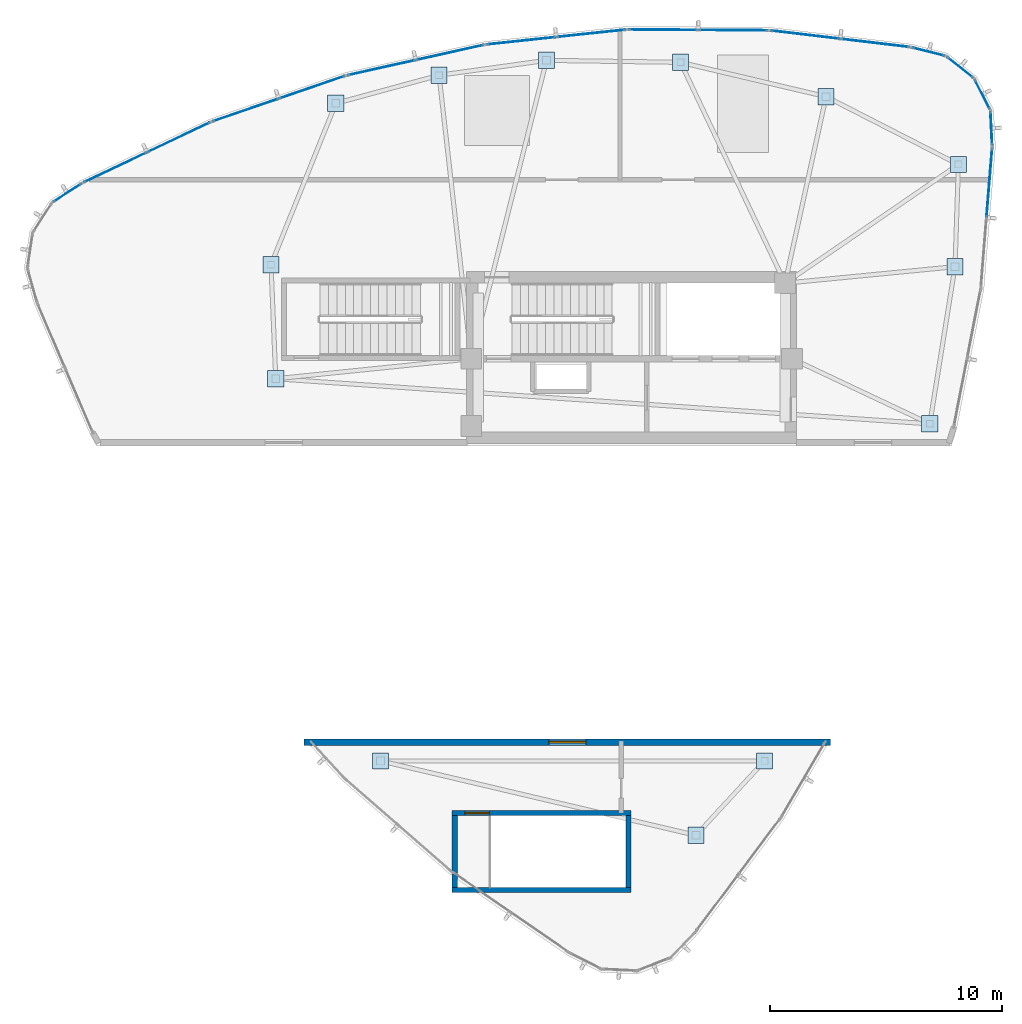
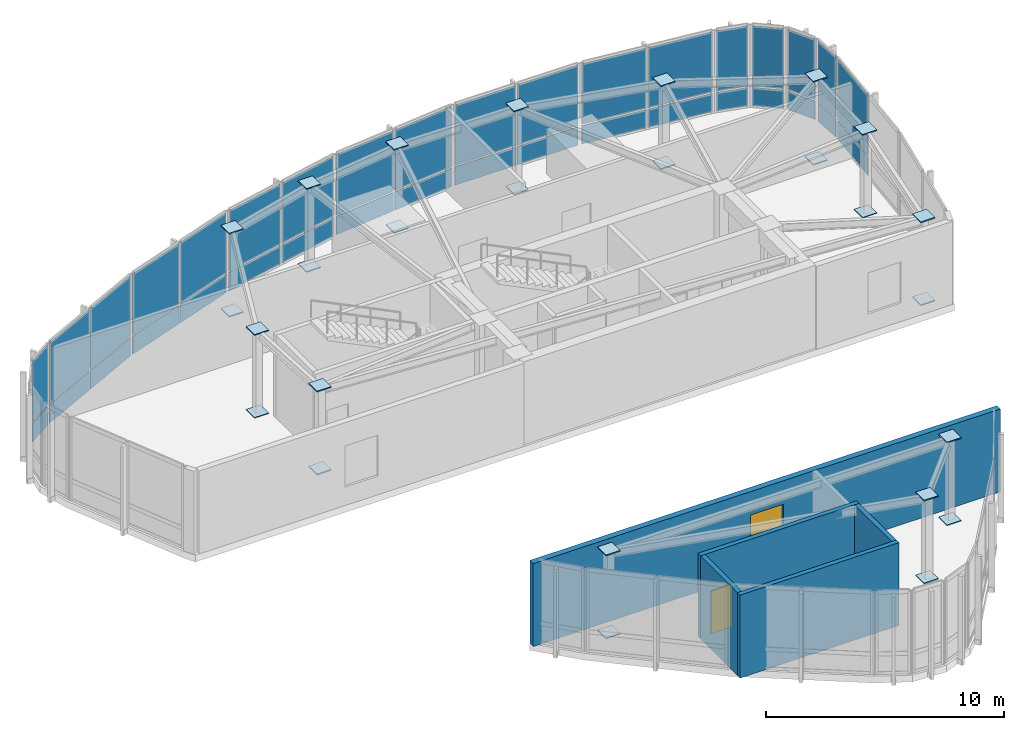
# One storey, part 9 of 15: 62 plates, 5 walls, 1 door, 1 window, 2 openings, 12 elements without a shape of their own.
"""IFC4 building model written with IfcOpenShell, lengths in metres."""

from ifc_helpers import new_model, si_unit, direction, frame, frame_2d, origin, origin_2d, place, context, subcontext, project, spatial, rectangle, extrude, source, transform, mapped, material, layer, layer_set, type_object, type_shapes, element, fill, aggregate, save


model = new_model("IFC4")

# Units and contexts
model_context = context("Model", 3, precision=1e-05, world=origin(), true_north=direction((0.0, 1.0)))
body_context = subcontext(model_context, "Body", "Model", "MODEL_VIEW")
ifc_project = project(units=[si_unit("LENGTHUNIT", "METRE"), si_unit("AREAUNIT", "SQUARE_METRE"), si_unit("VOLUMEUNIT", "CUBIC_METRE"), si_unit("PLANEANGLEUNIT", "RADIAN"), si_unit("MASSUNIT", "GRAM", prefix="KILO")], contexts=[model_context])

# Site, building, storey
site_placement = place(None, origin())
site = spatial("IfcSite", under=ifc_project, at=site_placement, CompositionType="ELEMENT")
building_placement = place(site_placement, origin())
building = spatial("IfcBuilding", under=site, at=building_placement, Name="Tavelor Broadcast Tower", CompositionType="ELEMENT")
storey_placement = place(building_placement, frame((0.0, 0.0, 341.300048828125)))
storey = spatial("IfcBuildingStorey", under=building, at=storey_placement, Name="L81", CompositionType="ELEMENT", Elevation=341.300048828125)

# Plates
ifc_material_1 = material(Name="Steel S460", Category="steel")
ifc_layer_1 = layer(ifc_material_1, 0.050048828125)
ifc_layer_set_1 = layer_set([ifc_layer_1], Name="Steel S460")
plate_type_1 = type_object("IfcPlateType", Name="Tube Hollow-End Cap Plate KN05 700x700x50", PredefinedType="USERDEFINED", material=ifc_layer_set_1)
shared_shape_1 = source(origin(), body_context, "Body", "SweptSolid", [
    extrude(rectangle(XDim=0.699951171875, YDim=0.699951171875, at=origin_2d()), origin(), (0.0, 0.0, 1.0), 0.054931640625),
])
type_shapes(plate_type_1, [shared_shape_1])
for number, where, z_axis, x_axis, name in (
    (1, (37.27294921875, 58.9375, -0.02734375), (0.0, 0.0, 1.0), (1.0, 0.0, 0.0), "L81 Hollow End Cap Plate KN05 #2477"),
    (2, (37.27294921875, 58.9375, 4.22265625), (0.0, 0.0, 1.0), (1.0, 0.0, 0.0), "L81 Hollow End Cap Plate KN05 #2478"),
    (3, (34.4853515625, 51.989013671875, -0.02734375), (0.0, 0.0, 1.0), (1.0, 0.0, 0.0), "L81 Hollow End Cap Plate KN05 #2479"),
    (4, (34.4853515625, 51.989013671875, 4.22265625), (0.0, 0.0, 1.0), (1.0, 0.0, 0.0), "L81 Hollow End Cap Plate KN05 #2480"),
    (5, (34.690673828125, 47.090087890625, -0.02734375), (0.0, 0.0, 1.0), (1.0, 0.0, 0.0), "L81 Hollow End Cap Plate KN05 #2481"),
    (6, (34.690673828125, 47.090087890625, 4.22265625), (0.0, 0.0, 1.0), (1.0, 0.0, 0.0), "L81 Hollow End Cap Plate KN05 #2482"),
    (7, (62.826416015625, 45.14990234375, -0.02734375), (0.0, 0.0, 1.0), (1.0, 0.0, 0.0), "L81 Hollow End Cap Plate KN05 #2483"),
    (8, (62.826416015625, 45.14990234375, 4.22265625), (0.0, 0.0, 1.0), (1.0, 0.0, 0.0), "L81 Hollow End Cap Plate KN05 #2484"),
    (9, (63.910888671875, 51.91064453125, -0.02734375), (0.0, 0.0, 1.0), (1.0, 0.0, 0.0), "L81 Hollow End Cap Plate KN05 #2485"),
    (10, (63.910888671875, 51.91064453125, 4.22265625), (0.0, 0.0, 1.0), (1.0, 0.0, 0.0), "L81 Hollow End Cap Plate KN05 #2486"),
    (11, (64.058349609375, 56.30859375, -0.02734375), (0.0, 0.0, 1.0), (1.0, 0.0, 0.0), "L81 Hollow End Cap Plate KN05 #2487"),
    (12, (64.058349609375, 56.30859375, 4.22265625), (0.0, 0.0, 1.0), (1.0, 0.0, 0.0), "L81 Hollow End Cap Plate KN05 #2488"),
    (13, (58.364013671875, 59.226318359375, -0.02734375), (0.0, 0.0, 1.0), (1.0, 0.0, 0.0), "L81 Hollow End Cap Plate KN05 #2489"),
    (14, (58.364013671875, 59.226318359375, 4.22265625), (0.0, 0.0, 1.0), (1.0, 0.0, 0.0), "L81 Hollow End Cap Plate KN05 #2490"),
    (15, (52.10400390625, 60.701416015625, -0.02734375), (0.0, 0.0, 1.0), (1.0, 0.0, 0.0), "L81 Hollow End Cap Plate KN05 #2491"),
    (16, (52.10400390625, 60.701416015625, 4.22265625), (0.0, 0.0, 1.0), (1.0, 0.0, 0.0), "L81 Hollow End Cap Plate KN05 #2492"),
    (17, (46.337158203125, 60.786865234375, -0.02734375), (0.0, 0.0, 1.0), (1.0, 0.0, 0.0), "L81 Hollow End Cap Plate KN05 #2493"),
    (18, (46.337158203125, 60.786865234375, 4.22265625), (0.0, 0.0, 1.0), (1.0, 0.0, 0.0), "L81 Hollow End Cap Plate KN05 #2494"),
    (19, (41.715087890625, 60.145751953125, -0.02734375), (0.0, 0.0, 1.0), (1.0, 0.0, 0.0), "L81 Hollow End Cap Plate KN05 #2495"),
    (20, (41.715087890625, 60.145751953125, 4.22265625), (0.0, 0.0, 1.0), (1.0, 0.0, 0.0), "L81 Hollow End Cap Plate KN05 #2496"),
    (21, (52.76708984375, 27.447998046875, -0.02734375), (0.0, 0.0, 1.0), (1.0, 0.0, 0.0), "L81 Hollow End Cap Plate KN05 #2497"),
    (22, (52.76708984375, 27.447998046875, 4.22265625), (0.0, 0.0, 1.0), (1.0, 0.0, 0.0), "L81 Hollow End Cap Plate KN05 #2498"),
    (23, (55.718505859375, 30.64990234375, -0.02734375), (0.0, 0.0, 1.0), (1.0, 0.0, 0.0), "L81 Hollow End Cap Plate KN05 #2499"),
    (24, (55.718505859375, 30.64990234375, 4.22265625), (0.0, 0.0, 1.0), (1.0, 0.0, 0.0), "L81 Hollow End Cap Plate KN05 #2500"),
    (25, (39.197509765625, 30.64990234375, -0.02734375), (0.0, 0.0, 1.0), (1.0, 0.0, 0.0), "L81 Hollow End Cap Plate KN05 #2501"),
    (26, (39.197509765625, 30.64990234375, 4.22265625), (0.0, 0.0, 1.0), (1.0, 0.0, 0.0), "L81 Hollow End Cap Plate KN05 #2502"),
):
    element("IfcPlate", number, at=place(storey_placement, frame(where, z_axis=z_axis, x_axis=x_axis)), inside=storey, type_object=plate_type_1, Name=name, ObjectType="CAP PLATE", PredefinedType="USERDEFINED", context=body_context, shape_type="MappedRepresentation", body=[
        mapped(shared_shape_1, transform((0.0, 0.0, 0.0), scale=1.0)),
    ])

# Curtain wall, plate
ifc_material_2 = material(Name="Architectural Anodized Aluminium", Category="aluminium")
ifc_layer_2 = layer(ifc_material_2, 0.2099609375)
ifc_layer_set_2 = layer_set([ifc_layer_2], Name="Architectural Anodized Aluminium")
curtain_wall_type = type_object("IfcCurtainWallType", Name="Split-Crown Beacon Curtain Wall CW06", PredefinedType="NOTDEFINED", material=ifc_layer_set_2)
curtain_wall_1_placement = place(storey_placement, origin())
curtain_wall_1 = element("IfcCurtainWall", 27, at=curtain_wall_1_placement, inside=storey, type_object=curtain_wall_type, Name="L81 Curtain Wall CW06 Run 930", PredefinedType="NOTDEFINED")
ifc_material_3 = material(Name="Dichroic Solar Laminated Glazing 34 mm", Category="glass")
ifc_layer_3 = layer(ifc_material_3, 0.033935546875)
ifc_layer_set_3 = layer_set([ifc_layer_3], Name="Dichroic Solar Laminated Glazing 34 mm")
plate_type_2 = type_object("IfcPlateType", Name="CW06 Insulated Vision Glazing Panel 34 mm", PredefinedType="CURTAIN_PANEL", material=ifc_layer_set_3)
shared_shape_2 = source(origin(), body_context, "Body", "SweptSolid", [
    extrude(rectangle(XDim=2.94140625, YDim=0.033935546875, at=origin_2d()), origin(), (0.0, 0.0, 1.0), 0.94189453125),
])
plate_1_placement = place(storey_placement, frame((65.388916015625, 55.523681640625, 0.072021484375), z_axis=(0.0, 0.0, 1.0), x_axis=(0.080538947925, 0.996751462435, 0.0)))
plate_1 = element("IfcPlate", 28, at=plate_1_placement, type_object=plate_type_2, Name="CW06 panel 2.1", PredefinedType="CURTAIN_PANEL", context=body_context, shape_type="MappedRepresentation", body=[
    mapped(shared_shape_2, transform((0.0, 0.0, 0.0), scale=1.0)),
])

# Curtain wall, plates
curtain_wall_2_placement = place(storey_placement, origin())
curtain_wall_2 = element("IfcCurtainWall", 29, at=curtain_wall_2_placement, inside=storey, type_object=curtain_wall_type, Name="L81 Curtain Wall CW06 Run 935", PredefinedType="NOTDEFINED")
plate_2_placement = place(storey_placement, frame((60.469482421875, 61.5341796875, 0.072021484375), z_axis=(0.0, 0.0, 1.0), x_axis=(-0.993005356595, 0.118069309192, 0.0)))
plate_2 = element("IfcPlate", 30, at=plate_2_placement, type_object=plate_type_2, Name="CW06 panel 1.1", PredefinedType="CURTAIN_PANEL", context=body_context, shape_type="MappedRepresentation", body=[
    mapped(shared_shape_2, transform((0.0, 0.0, 0.0), scale=1.0)),
])
plate_3_placement = place(storey_placement, frame((57.47705078125, 61.89013671875, 0.072021484375), z_axis=(0.0, 0.0, 1.0), x_axis=(-0.993005356595, 0.118069309192, 0.0)))
plate_3 = element("IfcPlate", 31, at=plate_3_placement, type_object=plate_type_2, Name="CW06 panel 2.1", PredefinedType="CURTAIN_PANEL", context=body_context, shape_type="MappedRepresentation", body=[
    mapped(shared_shape_2, transform((0.0, 0.0, 0.0), scale=1.0)),
])

curtain_wall_3_placement = place(storey_placement, origin())
curtain_wall_3 = element("IfcCurtainWall", 32, at=curtain_wall_3_placement, inside=storey, type_object=curtain_wall_type, Name="L81 Curtain Wall CW06 Run 940", PredefinedType="NOTDEFINED")
plate_4_placement = place(storey_placement, frame((30.51416015625, 57.474609375, 0.072021484375), z_axis=(0.0, 0.0, 1.0), x_axis=(-0.903486619402, -0.428616295259, 0.0)))
plate_4 = element("IfcPlate", 33, at=plate_4_placement, type_object=plate_type_2, Name="CW06 panel 1.1", PredefinedType="CURTAIN_PANEL", context=body_context, shape_type="MappedRepresentation", body=[
    mapped(shared_shape_2, transform((0.0, 0.0, 0.0), scale=1.0)),
])
plate_5_placement = place(storey_placement, frame((27.791748046875, 56.18310546875, 0.072021484375), z_axis=(0.0, 0.0, 1.0), x_axis=(-0.903486619402, -0.428616295259, 0.0)))
plate_5 = element("IfcPlate", 34, at=plate_5_placement, type_object=plate_type_2, Name="CW06 panel 2.1", PredefinedType="CURTAIN_PANEL", context=body_context, shape_type="MappedRepresentation", body=[
    mapped(shared_shape_2, transform((0.0, 0.0, 0.0), scale=1.0)),
])

# Plate
shared_shape_3 = source(origin(), body_context, "Body", "SweptSolid", [
    extrude(rectangle(XDim=2.94140625, YDim=0.033935546875, at=origin_2d()), origin(), (0.0, 0.0, 1.0), 3.092041015625),
])
plate_6_placement = place(storey_placement, frame((65.388916015625, 55.523681640625, 1.0859375), z_axis=(0.0, 0.0, 1.0), x_axis=(0.080538947925, 0.996751462435, 0.0)))
plate_6 = element("IfcPlate", 35, at=plate_6_placement, type_object=plate_type_2, Name="CW06 panel 2.2", PredefinedType="CURTAIN_PANEL", context=body_context, shape_type="MappedRepresentation", body=[
    mapped(shared_shape_3, transform((0.0, 0.0, 0.0), scale=1.0)),
])

aggregate(curtain_wall_1, [plate_1, plate_6])

plate_7_placement = place(storey_placement, frame((60.469482421875, 61.5341796875, 1.0859375), z_axis=(0.0, 0.0, 1.0), x_axis=(-0.993005356595, 0.118069309192, 0.0)))
plate_7 = element("IfcPlate", 36, at=plate_7_placement, type_object=plate_type_2, Name="CW06 panel 1.2", PredefinedType="CURTAIN_PANEL", context=body_context, shape_type="MappedRepresentation", body=[
    mapped(shared_shape_3, transform((0.0, 0.0, 0.0), scale=1.0)),
])

plate_8_placement = place(storey_placement, frame((57.47705078125, 61.89013671875, 1.0859375), z_axis=(0.0, 0.0, 1.0), x_axis=(-0.993005356595, 0.118069309192, 0.0)))
plate_8 = element("IfcPlate", 37, at=plate_8_placement, type_object=plate_type_2, Name="CW06 panel 2.2", PredefinedType="CURTAIN_PANEL", context=body_context, shape_type="MappedRepresentation", body=[
    mapped(shared_shape_3, transform((0.0, 0.0, 0.0), scale=1.0)),
])

aggregate(curtain_wall_2, [plate_2, plate_7, plate_3, plate_8])

plate_9_placement = place(storey_placement, frame((30.51416015625, 57.474609375, 1.0859375), z_axis=(0.0, 0.0, 1.0), x_axis=(-0.903486619402, -0.428616295259, 0.0)))
plate_9 = element("IfcPlate", 38, at=plate_9_placement, type_object=plate_type_2, Name="CW06 panel 1.2", PredefinedType="CURTAIN_PANEL", context=body_context, shape_type="MappedRepresentation", body=[
    mapped(shared_shape_3, transform((0.0, 0.0, 0.0), scale=1.0)),
])

plate_10_placement = place(storey_placement, frame((27.791748046875, 56.18310546875, 1.0859375), z_axis=(0.0, 0.0, 1.0), x_axis=(-0.903486619402, -0.428616295259, 0.0)))
plate_10 = element("IfcPlate", 39, at=plate_10_placement, type_object=plate_type_2, Name="CW06 panel 2.2", PredefinedType="CURTAIN_PANEL", context=body_context, shape_type="MappedRepresentation", body=[
    mapped(shared_shape_3, transform((0.0, 0.0, 0.0), scale=1.0)),
])

aggregate(curtain_wall_3, [plate_4, plate_9, plate_5, plate_10])

# Curtain wall, plate
curtain_wall_4_placement = place(storey_placement, origin())
curtain_wall_4 = element("IfcCurtainWall", 40, at=curtain_wall_4_placement, inside=storey, type_object=curtain_wall_type, Name="L81 Curtain Wall CW06 Run 931", PredefinedType="NOTDEFINED")
shared_shape_4 = source(origin(), body_context, "Body", "SweptSolid", [
    extrude(rectangle(XDim=1.38720703125, YDim=0.033935546875, at=origin_2d()), origin(), (0.0, 0.0, 1.0), 0.94189453125),
])
plate_11_placement = place(storey_placement, frame((65.4755859375, 57.856201171875, 0.072021484375), z_axis=(0.0, 0.0, 1.0), x_axis=(-0.049699833639, 0.998764199667, 0.0)))
plate_11 = element("IfcPlate", 41, at=plate_11_placement, type_object=plate_type_2, Name="CW06 panel 1.1", PredefinedType="CURTAIN_PANEL", context=body_context, shape_type="MappedRepresentation", body=[
    mapped(shared_shape_4, transform((0.0, 0.0, 0.0), scale=1.0)),
])

curtain_wall_5_placement = place(storey_placement, origin())
curtain_wall_5 = element("IfcCurtainWall", 42, at=curtain_wall_5_placement, inside=storey, type_object=curtain_wall_type, Name="L81 Curtain Wall CW06 Run 941", PredefinedType="NOTDEFINED")
plate_12_placement = place(storey_placement, frame((25.728515625, 55.092041015625, 0.072021484375), z_axis=(0.0, 0.0, 1.0), x_axis=(-0.840128658029, -0.542387166107, 0.0)))
plate_12 = element("IfcPlate", 43, at=plate_12_placement, type_object=plate_type_2, Name="CW06 panel 1.1", PredefinedType="CURTAIN_PANEL", context=body_context, shape_type="MappedRepresentation", body=[
    mapped(shared_shape_4, transform((0.0, 0.0, 0.0), scale=1.0)),
])

# Plate
shared_shape_5 = source(origin(), body_context, "Body", "SweptSolid", [
    extrude(rectangle(XDim=1.38720703125, YDim=0.033935546875, at=origin_2d()), origin(), (0.0, 0.0, 1.0), 3.092041015625),
])
plate_13_placement = place(storey_placement, frame((65.4755859375, 57.856201171875, 1.0859375), z_axis=(0.0, 0.0, 1.0), x_axis=(-0.049699833639, 0.998764199667, 0.0)))
plate_13 = element("IfcPlate", 44, at=plate_13_placement, type_object=plate_type_2, Name="CW06 panel 1.2", PredefinedType="CURTAIN_PANEL", context=body_context, shape_type="MappedRepresentation", body=[
    mapped(shared_shape_5, transform((0.0, 0.0, 0.0), scale=1.0)),
])

aggregate(curtain_wall_4, [plate_11, plate_13])

plate_14_placement = place(storey_placement, frame((25.728515625, 55.092041015625, 1.0859375), z_axis=(0.0, 0.0, 1.0), x_axis=(-0.840128658029, -0.542387166107, 0.0)))
plate_14 = element("IfcPlate", 45, at=plate_14_placement, type_object=plate_type_2, Name="CW06 panel 1.2", PredefinedType="CURTAIN_PANEL", context=body_context, shape_type="MappedRepresentation", body=[
    mapped(shared_shape_5, transform((0.0, 0.0, 0.0), scale=1.0)),
])

aggregate(curtain_wall_5, [plate_12, plate_14])

# Curtain wall, plate
curtain_wall_6_placement = place(storey_placement, origin())
curtain_wall_6 = element("IfcCurtainWall", 46, at=curtain_wall_6_placement, inside=storey, type_object=curtain_wall_type, Name="L81 Curtain Wall CW06 Run 932", PredefinedType="NOTDEFINED")
shared_shape_6 = source(origin(), body_context, "Body", "SweptSolid", [
    extrude(rectangle(XDim=1.3662109375, YDim=0.033935546875, at=origin_2d()), origin(), (0.0, 0.0, 1.0), 0.94189453125),
])
plate_15_placement = place(storey_placement, frame((65.08544921875, 59.321044921875, 0.072021484375), z_axis=(0.0, 0.0, 1.0), x_axis=(-0.456381176289, 0.88978436822, 0.0)))
plate_15 = element("IfcPlate", 47, at=plate_15_placement, type_object=plate_type_2, Name="CW06 panel 1.1", PredefinedType="CURTAIN_PANEL", context=body_context, shape_type="MappedRepresentation", body=[
    mapped(shared_shape_6, transform((0.0, 0.0, 0.0), scale=1.0)),
])

curtain_wall_7_placement = place(storey_placement, origin())
curtain_wall_7 = element("IfcCurtainWall", 48, at=curtain_wall_7_placement, inside=storey, type_object=curtain_wall_type, Name="L81 Curtain Wall CW06 Run 933", PredefinedType="NOTDEFINED")
plate_16_placement = place(storey_placement, frame((64.1318359375, 60.486083984375, 0.072021484375), z_axis=(0.0, 0.0, 1.0), x_axis=(-0.782030302894, 0.623240407352, 0.0)))
plate_16 = element("IfcPlate", 49, at=plate_16_placement, type_object=plate_type_2, Name="CW06 panel 1.1", PredefinedType="CURTAIN_PANEL", context=body_context, shape_type="MappedRepresentation", body=[
    mapped(shared_shape_6, transform((0.0, 0.0, 0.0), scale=1.0)),
])

# Plate
shared_shape_7 = source(origin(), body_context, "Body", "SweptSolid", [
    extrude(rectangle(XDim=1.3662109375, YDim=0.033935546875, at=origin_2d()), origin(), (0.0, 0.0, 1.0), 3.092041015625),
])
plate_17_placement = place(storey_placement, frame((65.08544921875, 59.321044921875, 1.0859375), z_axis=(0.0, 0.0, 1.0), x_axis=(-0.456381176289, 0.88978436822, 0.0)))
plate_17 = element("IfcPlate", 50, at=plate_17_placement, type_object=plate_type_2, Name="CW06 panel 1.2", PredefinedType="CURTAIN_PANEL", context=body_context, shape_type="MappedRepresentation", body=[
    mapped(shared_shape_7, transform((0.0, 0.0, 0.0), scale=1.0)),
])

aggregate(curtain_wall_6, [plate_15, plate_17])

plate_18_placement = place(storey_placement, frame((64.1318359375, 60.486083984375, 1.0859375), z_axis=(0.0, 0.0, 1.0), x_axis=(-0.782030302894, 0.623240407352, 0.0)))
plate_18 = element("IfcPlate", 51, at=plate_18_placement, type_object=plate_type_2, Name="CW06 panel 1.2", PredefinedType="CURTAIN_PANEL", context=body_context, shape_type="MappedRepresentation", body=[
    mapped(shared_shape_7, transform((0.0, 0.0, 0.0), scale=1.0)),
])

aggregate(curtain_wall_7, [plate_16, plate_18])

# Curtain wall, plates
curtain_wall_8_placement = place(storey_placement, origin())
curtain_wall_8 = element("IfcCurtainWall", 52, at=curtain_wall_8_placement, inside=storey, type_object=curtain_wall_type, Name="L81 Curtain Wall CW06 Run 936", PredefinedType="NOTDEFINED")
shared_shape_8 = source(origin(), body_context, "Body", "SweptSolid", [
    extrude(rectangle(XDim=2.942138671875, YDim=0.033935546875, at=origin_2d()), origin(), (0.0, 0.0, 1.0), 0.94189453125),
])
plate_19_placement = place(storey_placement, frame((54.3720703125, 62.08349609375, 0.072021484375), z_axis=(0.0, 0.0, 1.0), x_axis=(-0.999981505957, 0.00608175504, 0.0)))
plate_19 = element("IfcPlate", 53, at=plate_19_placement, type_object=plate_type_2, Name="CW06 panel 1.1", PredefinedType="CURTAIN_PANEL", context=body_context, shape_type="MappedRepresentation", body=[
    mapped(shared_shape_8, transform((0.0, 0.0, 0.0), scale=1.0)),
])
plate_20_placement = place(storey_placement, frame((51.358154296875, 62.101806640625, 0.072021484375), z_axis=(0.0, 0.0, 1.0), x_axis=(-0.999981505957, 0.00608175504, 0.0)))
plate_20 = element("IfcPlate", 54, at=plate_20_placement, type_object=plate_type_2, Name="CW06 panel 2.1", PredefinedType="CURTAIN_PANEL", context=body_context, shape_type="MappedRepresentation", body=[
    mapped(shared_shape_8, transform((0.0, 0.0, 0.0), scale=1.0)),
])

curtain_wall_9_placement = place(storey_placement, origin())
curtain_wall_9 = element("IfcCurtainWall", 55, at=curtain_wall_9_placement, inside=storey, type_object=curtain_wall_type, Name="L81 Curtain Wall CW06 Run 937", PredefinedType="NOTDEFINED")
plate_21_placement = place(storey_placement, frame((48.250732421875, 61.946044921875, 0.072021484375), z_axis=(0.0, 0.0, 1.0), x_axis=(-0.994366620805, -0.105995393437, 0.0)))
plate_21 = element("IfcPlate", 56, at=plate_21_placement, type_object=plate_type_2, Name="CW06 panel 1.1", PredefinedType="CURTAIN_PANEL", context=body_context, shape_type="MappedRepresentation", body=[
    mapped(shared_shape_8, transform((0.0, 0.0, 0.0), scale=1.0)),
])
plate_22_placement = place(storey_placement, frame((45.253662109375, 61.62646484375, 0.072021484375), z_axis=(0.0, 0.0, 1.0), x_axis=(-0.994366620805, -0.105995393437, 0.0)))
plate_22 = element("IfcPlate", 57, at=plate_22_placement, type_object=plate_type_2, Name="CW06 panel 2.1", PredefinedType="CURTAIN_PANEL", context=body_context, shape_type="MappedRepresentation", body=[
    mapped(shared_shape_8, transform((0.0, 0.0, 0.0), scale=1.0)),
])

curtain_wall_10_placement = place(storey_placement, origin())
curtain_wall_10 = element("IfcCurtainWall", 58, at=curtain_wall_10_placement, inside=storey, type_object=curtain_wall_type, Name="L81 Curtain Wall CW06 Run 938", PredefinedType="NOTDEFINED")
plate_23_placement = place(storey_placement, frame((42.183349609375, 61.123779296875, 0.072021484375), z_axis=(0.0, 0.0, 1.0), x_axis=(-0.976235635278, -0.216711754214, 0.0)))
plate_23 = element("IfcPlate", 59, at=plate_23_placement, type_object=plate_type_2, Name="CW06 panel 1.1", PredefinedType="CURTAIN_PANEL", context=body_context, shape_type="MappedRepresentation", body=[
    mapped(shared_shape_8, transform((0.0, 0.0, 0.0), scale=1.0)),
])
plate_24_placement = place(storey_placement, frame((39.24072265625, 60.470703125, 0.072021484375), z_axis=(0.0, 0.0, 1.0), x_axis=(-0.976235635278, -0.216711754214, 0.0)))
plate_24 = element("IfcPlate", 60, at=plate_24_placement, type_object=plate_type_2, Name="CW06 panel 2.1", PredefinedType="CURTAIN_PANEL", context=body_context, shape_type="MappedRepresentation", body=[
    mapped(shared_shape_8, transform((0.0, 0.0, 0.0), scale=1.0)),
])

curtain_wall_11_placement = place(storey_placement, origin())
curtain_wall_11 = element("IfcCurtainWall", 61, at=curtain_wall_11_placement, inside=storey, type_object=curtain_wall_type, Name="L81 Curtain Wall CW06 Run 939", PredefinedType="NOTDEFINED")
plate_25_placement = place(storey_placement, frame((36.24609375, 59.626953125, 0.072021484375), z_axis=(0.0, 0.0, 1.0), x_axis=(-0.945807483733, -0.324727891803, 0.0)))
plate_25 = element("IfcPlate", 62, at=plate_25_placement, type_object=plate_type_2, Name="CW06 panel 1.1", PredefinedType="CURTAIN_PANEL", context=body_context, shape_type="MappedRepresentation", body=[
    mapped(shared_shape_8, transform((0.0, 0.0, 0.0), scale=1.0)),
])
plate_26_placement = place(storey_placement, frame((33.395263671875, 58.648193359375, 0.072021484375), z_axis=(0.0, 0.0, 1.0), x_axis=(-0.945807483733, -0.324727891803, 0.0)))
plate_26 = element("IfcPlate", 63, at=plate_26_placement, type_object=plate_type_2, Name="CW06 panel 2.1", PredefinedType="CURTAIN_PANEL", context=body_context, shape_type="MappedRepresentation", body=[
    mapped(shared_shape_8, transform((0.0, 0.0, 0.0), scale=1.0)),
])

# Plate
shared_shape_9 = source(origin(), body_context, "Body", "SweptSolid", [
    extrude(rectangle(XDim=2.942138671875, YDim=0.033935546875, at=origin_2d()), origin(), (0.0, 0.0, 1.0), 3.092041015625),
])
plate_27_placement = place(storey_placement, frame((54.3720703125, 62.08349609375, 1.0859375), z_axis=(0.0, 0.0, 1.0), x_axis=(-0.999981505957, 0.00608175504, 0.0)))
plate_27 = element("IfcPlate", 64, at=plate_27_placement, type_object=plate_type_2, Name="CW06 panel 1.2", PredefinedType="CURTAIN_PANEL", context=body_context, shape_type="MappedRepresentation", body=[
    mapped(shared_shape_9, transform((0.0, 0.0, 0.0), scale=1.0)),
])

plate_28_placement = place(storey_placement, frame((51.358154296875, 62.101806640625, 1.0859375), z_axis=(0.0, 0.0, 1.0), x_axis=(-0.999981505957, 0.00608175504, 0.0)))
plate_28 = element("IfcPlate", 65, at=plate_28_placement, type_object=plate_type_2, Name="CW06 panel 2.2", PredefinedType="CURTAIN_PANEL", context=body_context, shape_type="MappedRepresentation", body=[
    mapped(shared_shape_9, transform((0.0, 0.0, 0.0), scale=1.0)),
])

aggregate(curtain_wall_8, [plate_19, plate_27, plate_20, plate_28])

plate_29_placement = place(storey_placement, frame((48.250732421875, 61.946044921875, 1.0859375), z_axis=(0.0, 0.0, 1.0), x_axis=(-0.994366620805, -0.105995393437, 0.0)))
plate_29 = element("IfcPlate", 66, at=plate_29_placement, type_object=plate_type_2, Name="CW06 panel 1.2", PredefinedType="CURTAIN_PANEL", context=body_context, shape_type="MappedRepresentation", body=[
    mapped(shared_shape_9, transform((0.0, 0.0, 0.0), scale=1.0)),
])

plate_30_placement = place(storey_placement, frame((45.253662109375, 61.62646484375, 1.0859375), z_axis=(0.0, 0.0, 1.0), x_axis=(-0.994366620805, -0.105995393437, 0.0)))
plate_30 = element("IfcPlate", 67, at=plate_30_placement, type_object=plate_type_2, Name="CW06 panel 2.2", PredefinedType="CURTAIN_PANEL", context=body_context, shape_type="MappedRepresentation", body=[
    mapped(shared_shape_9, transform((0.0, 0.0, 0.0), scale=1.0)),
])

aggregate(curtain_wall_9, [plate_21, plate_29, plate_22, plate_30])

plate_31_placement = place(storey_placement, frame((42.183349609375, 61.123779296875, 1.0859375), z_axis=(0.0, 0.0, 1.0), x_axis=(-0.976235635278, -0.216711754214, 0.0)))
plate_31 = element("IfcPlate", 68, at=plate_31_placement, type_object=plate_type_2, Name="CW06 panel 1.2", PredefinedType="CURTAIN_PANEL", context=body_context, shape_type="MappedRepresentation", body=[
    mapped(shared_shape_9, transform((0.0, 0.0, 0.0), scale=1.0)),
])

plate_32_placement = place(storey_placement, frame((39.24072265625, 60.470703125, 1.0859375), z_axis=(0.0, 0.0, 1.0), x_axis=(-0.976235635278, -0.216711754214, 0.0)))
plate_32 = element("IfcPlate", 69, at=plate_32_placement, type_object=plate_type_2, Name="CW06 panel 2.2", PredefinedType="CURTAIN_PANEL", context=body_context, shape_type="MappedRepresentation", body=[
    mapped(shared_shape_9, transform((0.0, 0.0, 0.0), scale=1.0)),
])

aggregate(curtain_wall_10, [plate_23, plate_31, plate_24, plate_32])

plate_33_placement = place(storey_placement, frame((36.24609375, 59.626953125, 1.0859375), z_axis=(0.0, 0.0, 1.0), x_axis=(-0.945807483733, -0.324727891803, 0.0)))
plate_33 = element("IfcPlate", 70, at=plate_33_placement, type_object=plate_type_2, Name="CW06 panel 1.2", PredefinedType="CURTAIN_PANEL", context=body_context, shape_type="MappedRepresentation", body=[
    mapped(shared_shape_9, transform((0.0, 0.0, 0.0), scale=1.0)),
])

plate_34_placement = place(storey_placement, frame((33.395263671875, 58.648193359375, 1.0859375), z_axis=(0.0, 0.0, 1.0), x_axis=(-0.945807483733, -0.324727891803, 0.0)))
plate_34 = element("IfcPlate", 71, at=plate_34_placement, type_object=plate_type_2, Name="CW06 panel 2.2", PredefinedType="CURTAIN_PANEL", context=body_context, shape_type="MappedRepresentation", body=[
    mapped(shared_shape_9, transform((0.0, 0.0, 0.0), scale=1.0)),
])

aggregate(curtain_wall_11, [plate_25, plate_33, plate_26, plate_34])

# Curtain wall, plates
curtain_wall_12_placement = place(storey_placement, origin())
curtain_wall_12 = element("IfcCurtainWall", 72, at=curtain_wall_12_placement, inside=storey, type_object=curtain_wall_type, Name="L81 Curtain Wall CW06 Run 934", PredefinedType="NOTDEFINED")
shared_shape_10 = source(origin(), body_context, "Body", "SweptSolid", [
    extrude(rectangle(XDim=1.387451171875, YDim=0.033935546875, at=origin_2d()), origin(), (0.0, 0.0, 1.0), 0.94189453125),
])
plate_35_placement = place(storey_placement, frame((62.77294921875, 61.158203125, 0.072021484375), z_axis=(0.0, 0.0, 1.0), x_axis=(-0.96922137113, 0.246190848217, 0.0)))
plate_35 = element("IfcPlate", 73, at=plate_35_placement, type_object=plate_type_2, Name="CW06 panel 1.1", PredefinedType="CURTAIN_PANEL", context=body_context, shape_type="MappedRepresentation", body=[
    mapped(shared_shape_10, transform((0.0, 0.0, 0.0), scale=1.0)),
])
shared_shape_11 = source(origin(), body_context, "Body", "SweptSolid", [
    extrude(rectangle(XDim=1.387451171875, YDim=0.033935546875, at=origin_2d()), origin(), (0.0, 0.0, 1.0), 3.092041015625),
])
type_shapes(plate_type_2, [shared_shape_2, shared_shape_3, shared_shape_4, shared_shape_5, shared_shape_6, shared_shape_7, shared_shape_8, shared_shape_9, shared_shape_10, shared_shape_11])
plate_36_placement = place(storey_placement, frame((62.77294921875, 61.158203125, 1.0859375), z_axis=(0.0, 0.0, 1.0), x_axis=(-0.96922137113, 0.246190848217, 0.0)))
plate_36 = element("IfcPlate", 74, at=plate_36_placement, type_object=plate_type_2, Name="CW06 panel 1.2", PredefinedType="CURTAIN_PANEL", context=body_context, shape_type="MappedRepresentation", body=[
    mapped(shared_shape_11, transform((0.0, 0.0, 0.0), scale=1.0)),
])
aggregate(curtain_wall_12, [plate_35, plate_36])

# Wall, opening, window
ifc_material_4 = material(Name="Precast Concrete C40/50", Category="concrete")
ifc_layer_4 = layer(ifc_material_4, 0.280029296875)
ifc_layer_set_4 = layer_set([ifc_layer_4], Name="Precast Concrete C40/50")
wall_type_1 = type_object("IfcWallType", Name="Insulated Precast Terracotta Facade Wall 280 mm", PredefinedType="STANDARD", material=ifc_layer_set_4)
wall_1_placement = place(storey_placement, frame((58.5537109375, 31.4599609375, 0.0), z_axis=(0.0, 0.0, 1.0), x_axis=(-1.0, 0.0, 0.0)))
wall_1 = element("IfcWall", 75, at=wall_1_placement, inside=storey, type_object=wall_type_1, Name="L81 Crown Peak B Sky-Slot Wall 01.1", PredefinedType="STANDARD", context=body_context, shape_type="SweptSolid", body=[
    extrude(rectangle(XDim=22.6376953125, YDim=0.280029296875, at=frame_2d((11.31884765625, 0.0))), origin(), (0.0, 0.0, 1.0), 4.25),
])
opening_1_placement = place(wall_1_placement, frame((10.518798828125, 0.0, 0.949951171875)))
opening_1 = element("IfcOpeningElement", 76, at=opening_1_placement, cuts=wall_1, Name="Opening WN29", PredefinedType="OPENING", context=body_context, shape_type="SweptSolid", body=[
    extrude(rectangle(XDim=1.60009765625, YDim=2.10009765625, at=frame_2d((0.800048828125, 1.050048828125))), frame((0.0, 0.14990234375, 0.0), z_axis=(0.0, -1.0, 0.0), x_axis=(1.0, 0.0, 0.0)), (0.0, 0.0, 1.0), 0.300048828125),
])
ifc_material_5 = material(Name="Acoustic Double Glazing 28 mm", Category="glass")
window_type = type_object("IfcWindowType", Name="Crown Beacon Observation Window 1600x2100", PartitioningType="SINGLE_PANEL", PredefinedType="WINDOW", material=ifc_material_5)
window_placement = place(opening_1_placement, origin())
window = element("IfcWindow", 77, at=window_placement, inside=storey, type_object=window_type, Name="L81 Crown Sky-Slot Observation Window B01.1", OverallHeight=2.10009765625, OverallWidth=1.60009765625, PartitioningType="SINGLE_PANEL", PredefinedType="WINDOW", context=body_context, shape_type="SweptSolid", body=[
    extrude(rectangle(XDim=1.60009765625, YDim=2.10009765625, at=frame_2d((0.800048828125, 1.050048828125))), frame((0.0, 0.030029296875, 0.0), z_axis=(0.0, -1.0, 0.0), x_axis=(1.0, 0.0, 0.0)), (0.0, 0.0, 1.0), 0.06005859375),
])
fill(opening_1, window)

# Wall
ifc_material_6 = material(Name="Concrete C40/50", Category="concrete")
ifc_layer_5 = layer(ifc_material_6, 0.219970703125)
ifc_layer_set_5 = layer_set([ifc_layer_5], Name="Concrete C40/50")
wall_type_2 = type_object("IfcWallType", Name="Structural Stairwell Shear Wall 220 mm", PredefinedType="SHEAR", material=ifc_layer_set_5)
wall_2_placement = place(storey_placement, frame((42.280029296875, 25.090087890625, 0.0), z_axis=(0.0, 0.0, 1.0), x_axis=(1.0, 0.0, 0.0)))
element("IfcWall", 78, at=wall_2_placement, inside=storey, type_object=wall_type_2, Name="L81 Stair ST6 Structural Shaft Wall S", PredefinedType="SHEAR", context=body_context, shape_type="SweptSolid", body=[
    extrude(rectangle(XDim=7.68994140625, YDim=0.219970703125, at=frame_2d((3.844970703125, 0.0))), origin(), (0.0, 0.0, 1.0), 4.25),
])

# Wall, opening, door
wall_3_placement = place(storey_placement, frame((42.280029296875, 28.409912109375, 0.0), z_axis=(0.0, 0.0, 1.0), x_axis=(1.0, 0.0, 0.0)))
wall_3 = element("IfcWall", 79, at=wall_3_placement, inside=storey, type_object=wall_type_2, Name="L81 Stair ST6 Structural Shaft Wall N", PredefinedType="SHEAR", context=body_context, shape_type="SweptSolid", body=[
    extrude(rectangle(XDim=7.68994140625, YDim=0.219970703125, at=frame_2d((3.844970703125, 0.0))), origin(), (0.0, 0.0, 1.0), 4.25),
])
opening_2_placement = place(wall_3_placement, frame((0.550048828125, 0.0, 0.0)))
opening_2 = element("IfcOpeningElement", 80, at=opening_2_placement, cuts=wall_3, Name="Opening DR11", PredefinedType="OPENING", context=body_context, shape_type="SweptSolid", body=[
    extrude(rectangle(XDim=1.050048828125, YDim=2.199951171875, at=frame_2d((0.52490234375, 1.10009765625))), frame((0.0, 0.1201171875, 0.0), z_axis=(0.0, -1.0, 0.0), x_axis=(1.0, 0.0, 0.0)), (0.0, 0.0, 1.0), 0.239990234375),
])
ifc_material_7 = material(Name="Steel S355", Category="steel")
door_type = type_object("IfcDoorType", Name="Stair Core Fire Escape Door 1050x2200", OperationType="NOTDEFINED", PredefinedType="DOOR", material=ifc_material_7)
door_placement = place(opening_2_placement, origin())
door = element("IfcDoor", 81, at=door_placement, inside=storey, type_object=door_type, Name="L81 Stair ST6 Protected Fire Door", OperationType="SINGLE_SWING_LEFT", OverallHeight=2.199951171875, OverallWidth=1.050048828125, PredefinedType="DOOR", context=body_context, shape_type="SweptSolid", body=[
    extrude(rectangle(XDim=1.050048828125, YDim=2.199951171875, at=frame_2d((0.52490234375, 1.10009765625))), frame((0.0, 0.02490234375, 0.0), z_axis=(0.0, -1.0, 0.0), x_axis=(1.0, 0.0, 0.0)), (0.0, 0.0, 1.0), 0.050048828125),
])
fill(opening_2, door)

# Walls
for number, where, z_axis, x_axis, name in (
    (82, (49.860107421875, 25.199951171875, 0.0), (0.0, 0.0, 1.0), (0.0, 1.0, 0.0), "L81 Stair ST6 Structural Shaft Wall E"),
    (83, (42.389892578125, 25.199951171875, 0.0), (0.0, 0.0, 1.0), (0.0, 1.0, 0.0), "L81 Stair ST6 Structural Shaft Wall W"),
):
    element("IfcWall", number, at=place(storey_placement, frame(where, z_axis=z_axis, x_axis=x_axis)), inside=storey, type_object=wall_type_2, Name=name, PredefinedType="SHEAR", context=body_context, shape_type="SweptSolid", body=[
        extrude(rectangle(XDim=3.10009765625, YDim=0.219970703125, at=frame_2d((1.550048828125, 0.0))), origin(), (0.0, 0.0, 1.0), 4.25),
    ])

save(model, "model.ifc")
